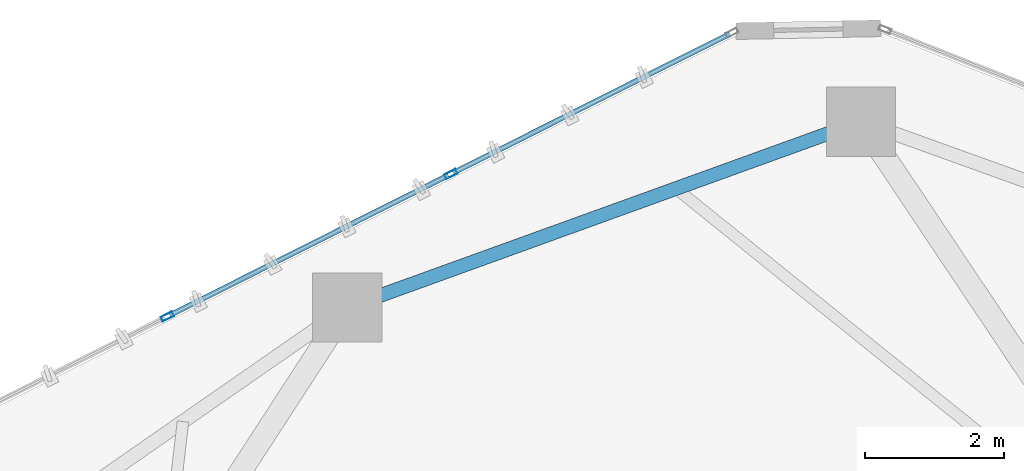
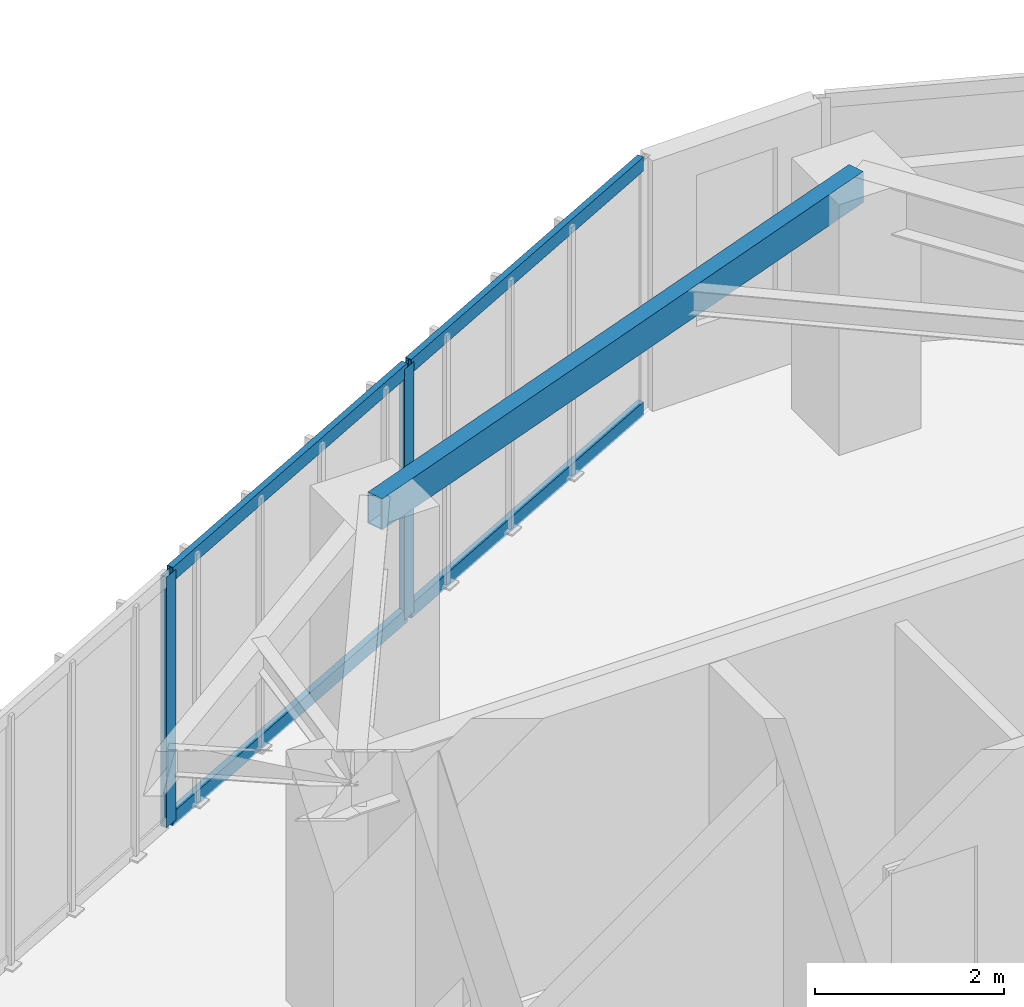
# One storey, part 13 of 20: 6 members, 1 beam, 1 element without a shape of its own.
"""IFC4 building model written with IfcOpenShell, lengths in metres."""

from ifc_helpers import new_model, si_unit, direction, frame, origin, origin_2d, place, context, subcontext, project, spatial, hollow_rectangle, extrude, source, transform, mapped, material, layer, layer_set, material_profile, profile_set, type_object, type_shapes, element, aggregate, save


model = new_model("IFC4")

# Units and contexts
model_context = context("Model", 3, precision=1e-05, world=origin(), true_north=direction((0.0, 1.0)))
body_context = subcontext(model_context, "Body", "Model", "MODEL_VIEW")
ifc_project = project(units=[si_unit("LENGTHUNIT", "METRE"), si_unit("AREAUNIT", "SQUARE_METRE"), si_unit("VOLUMEUNIT", "CUBIC_METRE"), si_unit("PLANEANGLEUNIT", "RADIAN"), si_unit("MASSUNIT", "GRAM", prefix="KILO")], contexts=[model_context])

# Site, building, storey
site_placement = place(None, origin())
site = spatial("IfcSite", under=ifc_project, at=site_placement, CompositionType="ELEMENT")
building_placement = place(site_placement, origin())
building = spatial("IfcBuilding", under=site, at=building_placement, Name="Talar Marvaseh", CompositionType="ELEMENT")
storey_placement = place(building_placement, frame((0.0, 0.0, 170.5)))
storey = spatial("IfcBuildingStorey", under=building, at=storey_placement, Name="L44", CompositionType="ELEMENT", Elevation=170.5)

# Beam
ifc_material_1 = material(Name="Steel S355", Category="steel")
ifc_material_profile_1 = material_profile(ifc_material_1, hollow_rectangle(XDim=0.199951171875, YDim=0.39990234375, WallThickness=0.013916015625, at=origin_2d()), Name="RHS400x200x14")
ifc_profile_set_1 = profile_set([ifc_material_profile_1], Name="Steel S355")
beam_type = type_object("IfcBeamType", Name="Zone 3 Perimeter Spandrel Beam RHS400x200x14", PredefinedType="SPANDREL", material=ifc_profile_set_1)
beam_placement = place(storey_placement, frame((21.35205078125, 40.986083984375, 3.030029296875), z_axis=(0.940368006783, 0.340158803824, 0.0), x_axis=(-0.340158803824, 0.940368006783, 0.0)))
element("IfcBeam", 1, at=beam_placement, inside=storey, type_object=beam_type, Name="L44 Zone 3 Perimeter Spandrel Beam RHS400x200x14", PredefinedType="SPANDREL", context=body_context, shape_type="SweptSolid", body=[
    extrude(hollow_rectangle(XDim=0.199951171875, YDim=0.39990234375, WallThickness=0.013916015625, at=origin_2d()), origin(), (0.0, 0.0, 1.0), 7.88427734375),
])

# Curtain wall, members
ifc_material_2 = material(Name="Architectural Aluminium", Category="aluminium")
ifc_layer = layer(ifc_material_2, 0.18994140625)
ifc_layer_set = layer_set([ifc_layer], Name="Architectural Aluminium")
curtain_wall_type = type_object("IfcCurtainWallType", Name="Unitised Solar Atelier Curtain Wall Z3", PredefinedType="NOTDEFINED", material=ifc_layer_set)
curtain_wall_placement = place(storey_placement, origin())
curtain_wall = element("IfcCurtainWall", 2, at=curtain_wall_placement, inside=storey, type_object=curtain_wall_type, Name="L44 Unitised Solar Atelier Curtain Wall Z3", PredefinedType="NOTDEFINED")
ifc_material_profile_2 = material_profile(ifc_material_2, hollow_rectangle(XDim=0.074951171875, YDim=0.179931640625, WallThickness=0.0048828125, at=origin_2d()), Name="RHS180x75x5")
ifc_profile_set_2 = profile_set([ifc_material_profile_2], Name="Architectural Aluminium")
member_type_1 = type_object("IfcMemberType", Name="Unitised Curtain Wall Standard Mullion RHS180x75x5", PredefinedType="MULLION", material=ifc_profile_set_2)
shared_shape_1 = source(origin(), body_context, "Body", "SweptSolid", [
    extrude(hollow_rectangle(XDim=0.074951171875, YDim=0.179931640625, WallThickness=0.0048828125, at=origin_2d()), origin(), (0.0, 0.0, 1.0), 3.22998046875),
])
type_shapes(member_type_1, [shared_shape_1])
member_1_placement = place(storey_placement, frame((18.7578125, 40.85546875, 0.0), z_axis=(0.0, 0.0, 1.0), x_axis=(-0.449042006912, 0.893510646847, 0.0)))
member_1 = element("IfcMember", 3, at=member_1_placement, type_object=member_type_1, Name="CW-Z3 mullion 2", PredefinedType="MULLION", context=body_context, shape_type="MappedRepresentation", body=[
    mapped(shared_shape_1, transform((0.0, 0.0, 0.0), x_axis=(1.0, 0.0, 0.0), y_axis=(0.0, 1.0, 0.0), z_axis=(0.0, 0.0, 1.0), scale=1.0)),
])
member_2_placement = place(storey_placement, frame((22.847412109375, 42.910888671875, 0.0), z_axis=(0.0, 0.0, 1.0), x_axis=(-0.449042006912, 0.893510646847, 0.0)))
member_2 = element("IfcMember", 4, at=member_2_placement, type_object=member_type_1, Name="CW-Z3 mullion 3", PredefinedType="MULLION", context=body_context, shape_type="MappedRepresentation", body=[
    mapped(shared_shape_1, transform((0.0, 0.0, 0.0), x_axis=(1.0, 0.0, 0.0), y_axis=(0.0, 1.0, 0.0), z_axis=(0.0, 0.0, 1.0), scale=1.0)),
])
ifc_material_profile_3 = material_profile(ifc_material_2, hollow_rectangle(XDim=0.074951171875, YDim=0.179931640625, WallThickness=0.0048828125, at=origin_2d()), Name="RHS180x75x5")
ifc_profile_set_3 = profile_set([ifc_material_profile_3], Name="Architectural Aluminium")
member_type_2 = type_object("IfcMemberType", Name="Unitised Curtain Wall Transom RHS180x75x5", PredefinedType="USERDEFINED", material=ifc_profile_set_3)
shared_shape_2 = source(origin(), body_context, "Body", "SweptSolid", [
    extrude(hollow_rectangle(XDim=0.074951171875, YDim=0.179931640625, WallThickness=0.0048828125, at=origin_2d()), origin(), (0.0, 0.0, 1.0), 4.464599609375),
])
member_3_placement = place(storey_placement, frame((22.881103515625, 42.927734375, 0.03759765625), z_axis=(0.893506643456, 0.449049972831, 0.0), x_axis=(-0.449049972831, 0.893506643456, 0.0)))
member_3 = element("IfcMember", 5, at=member_3_placement, type_object=member_type_2, Name="CW-Z3 transom 3.1", ObjectType="TRANSOM", PredefinedType="USERDEFINED", context=body_context, shape_type="MappedRepresentation", body=[
    mapped(shared_shape_2, transform((0.0, 0.0, 0.0), x_axis=(1.0, 0.0, 0.0), y_axis=(0.0, 1.0, 0.0), z_axis=(0.0, 0.0, 1.0), scale=1.0)),
])
member_4_placement = place(storey_placement, frame((22.881103515625, 42.927734375, 3.1923828125), z_axis=(0.893506643456, 0.449049972831, 0.0), x_axis=(-0.449049972831, 0.893506643456, 0.0)))
member_4 = element("IfcMember", 6, at=member_4_placement, type_object=member_type_2, Name="CW-Z3 transom 3.2", ObjectType="TRANSOM", PredefinedType="USERDEFINED", context=body_context, shape_type="MappedRepresentation", body=[
    mapped(shared_shape_2, transform((0.0, 0.0, 0.0), x_axis=(1.0, 0.0, 0.0), y_axis=(0.0, 1.0, 0.0), z_axis=(0.0, 0.0, 1.0), scale=1.0)),
])
shared_shape_3 = source(origin(), body_context, "Body", "SweptSolid", [
    extrude(hollow_rectangle(XDim=0.074951171875, YDim=0.179931640625, WallThickness=0.0048828125, at=origin_2d()), origin(), (0.0, 0.0, 1.0), 4.502197265625),
])
type_shapes(member_type_2, [shared_shape_2, shared_shape_3])
member_5_placement = place(storey_placement, frame((18.791259765625, 40.872314453125, 0.03759765625), z_axis=(0.893503426401, 0.449056373977, 0.0), x_axis=(-0.449056373977, 0.893503426401, 0.0)))
member_5 = element("IfcMember", 7, at=member_5_placement, type_object=member_type_2, Name="CW-Z3 transom 2.1", ObjectType="TRANSOM", PredefinedType="USERDEFINED", context=body_context, shape_type="MappedRepresentation", body=[
    mapped(shared_shape_3, transform((0.0, 0.0, 0.0), x_axis=(1.0, 0.0, 0.0), y_axis=(0.0, 1.0, 0.0), z_axis=(0.0, 0.0, 1.0), scale=1.0)),
])
member_6_placement = place(storey_placement, frame((18.791259765625, 40.872314453125, 3.1923828125), z_axis=(0.893503426401, 0.449056373977, 0.0), x_axis=(-0.449056373977, 0.893503426401, 0.0)))
member_6 = element("IfcMember", 8, at=member_6_placement, type_object=member_type_2, Name="CW-Z3 transom 2.2", ObjectType="TRANSOM", PredefinedType="USERDEFINED", context=body_context, shape_type="MappedRepresentation", body=[
    mapped(shared_shape_3, transform((0.0, 0.0, 0.0), x_axis=(1.0, 0.0, 0.0), y_axis=(0.0, 1.0, 0.0), z_axis=(0.0, 0.0, 1.0), scale=1.0)),
])
aggregate(curtain_wall, [member_1, member_2, member_5, member_6, member_3, member_4])

save(model, "model.ifc")
